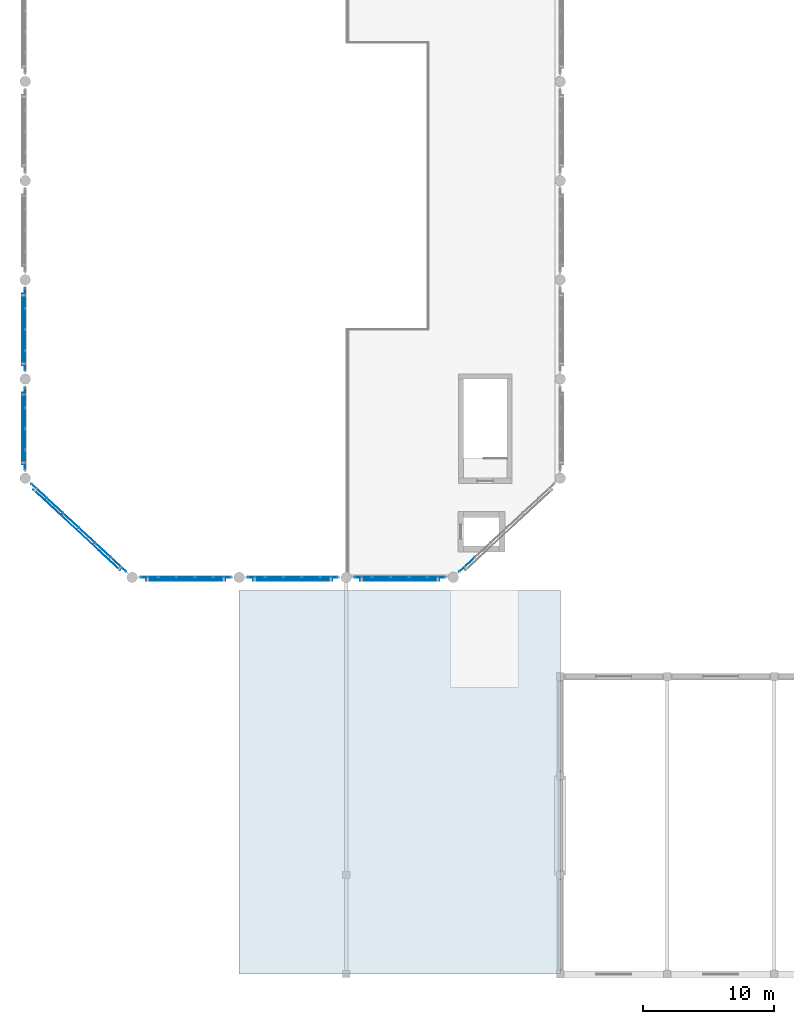
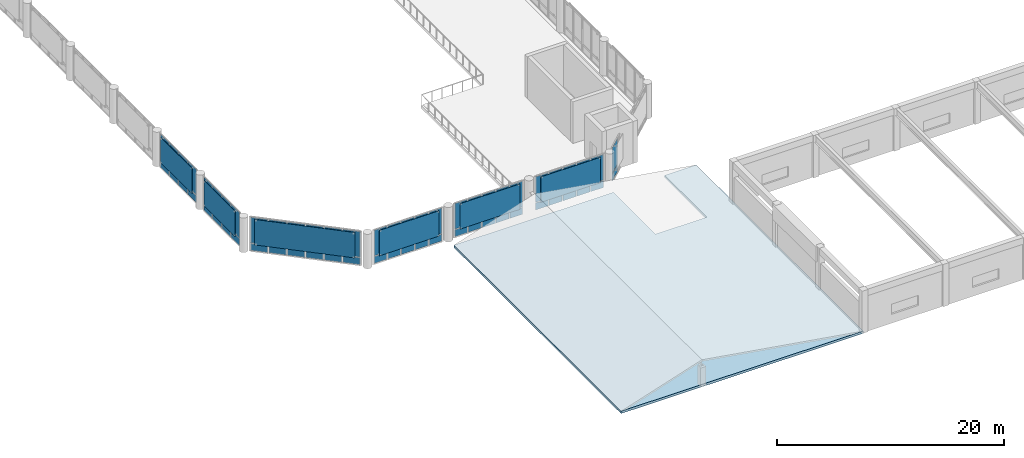
# One storey, part 27 of 49: 66 plates, 1 slab, 7 elements without a shape of their own.
"""IFC4 building model written with IfcOpenShell, lengths in metres."""

from ifc_helpers import new_model, si_unit, direction, frame, origin, origin_2d, place, context, subcontext, project, spatial, polyline, rectangle, outline, extrude, material, layer, layer_set, type_object, element, aggregate, save


model = new_model("IFC4")

# Units and contexts
model_context = context("Model", 3, precision=1e-05, world=origin(), true_north=direction((0.0, 1.0)))
body_context = subcontext(model_context, "Body", "Model", "MODEL_VIEW")
ifc_project = project(units=[si_unit("LENGTHUNIT", "METRE"), si_unit("AREAUNIT", "SQUARE_METRE"), si_unit("VOLUMEUNIT", "CUBIC_METRE"), si_unit("PLANEANGLEUNIT", "RADIAN"), si_unit("MASSUNIT", "GRAM", prefix="KILO")], contexts=[model_context])

# Site, building, storey
site_placement = place(None, origin())
site = spatial("IfcSite", under=ifc_project, at=site_placement, CompositionType="ELEMENT")
building_placement = place(site_placement, origin())
building = spatial("IfcBuilding", under=site, at=building_placement, Name="Qandaris Square Conservatory and Botanical Centre", CompositionType="ELEMENT")
storey_placement = place(building_placement, frame((0.0, 0.0, 10.199951171875)))
storey = spatial("IfcBuildingStorey", under=building, at=storey_placement, Name="L02", CompositionType="ELEMENT", Elevation=10.199951171875)

# Curtain wall, plates
ifc_material_1 = material(Name="Anodised Aluminium", Category="aluminium")
curtain_wall_type_1 = type_object("IfcCurtainWallType", Name="Unitised Curtain Wall CW-2-704x370", PredefinedType="USERDEFINED", material=ifc_material_1)
curtain_wall_1_placement = place(storey_placement, origin())
curtain_wall_1 = element("IfcCurtainWall", 1, at=curtain_wall_1_placement, inside=storey, type_object=curtain_wall_type_1, Name="Curtain Wall CW-CON-L02-1-1", ObjectType="GLAZED CURTAIN WALL", PredefinedType="USERDEFINED")
ifc_material_2 = material(Name="Tempered Low-E Glass", Category="glass")
ifc_layer_1 = layer(ifc_material_2, 0.0400390625)
ifc_layer_set_1 = layer_set([ifc_layer_1], Name="Tempered Low-E Glass")
plate_type_1 = type_object("IfcPlateType", Name="Conservatory Laminated Low-Iron Biome Glass 40mm", PredefinedType="CURTAIN_PANEL", material=ifc_layer_set_1)
plate_1_placement = place(storey_placement, frame((25.70263671875, 47.0, 0.0751953125), z_axis=(0.0, 0.0, 1.0), x_axis=(1.0, 0.0, 0.0)))
plate_1 = element("IfcPlate", 2, at=plate_1_placement, type_object=plate_type_1, Name="CW-2-704x370 panel 1.1", PredefinedType="CURTAIN_PANEL", context=body_context, shape_type="SweptSolid", body=[
    extrude(rectangle(XDim=1.29541015625, YDim=0.0400390625, at=origin_2d()), origin(), (0.0, 0.0, 1.0), 0.737548828125),
])
plate_2_placement = place(storey_placement, frame((25.70263671875, 47.0, 0.8876953125), z_axis=(0.0, 0.0, 1.0), x_axis=(1.0, 0.0, 0.0)))
plate_2 = element("IfcPlate", 3, at=plate_2_placement, type_object=plate_type_1, Name="CW-2-704x370 panel 1.2", PredefinedType="CURTAIN_PANEL", context=body_context, shape_type="SweptSolid", body=[
    extrude(rectangle(XDim=1.29541015625, YDim=0.0400390625, at=origin_2d()), origin(), (0.0, 0.0, 1.0), 2.737548828125),
])
plate_3_placement = place(storey_placement, frame((27.092041015625, 47.0, 0.0751953125), z_axis=(0.0, 0.0, 1.0), x_axis=(1.0, 0.0, 0.0)))
plate_3 = element("IfcPlate", 4, at=plate_3_placement, type_object=plate_type_1, Name="CW-2-704x370 panel 2.1", PredefinedType="CURTAIN_PANEL", context=body_context, shape_type="SweptSolid", body=[
    extrude(rectangle(XDim=1.3330078125, YDim=0.0400390625, at=origin_2d()), origin(), (0.0, 0.0, 1.0), 0.737548828125),
])
plate_4_placement = place(storey_placement, frame((27.092041015625, 47.0, 0.8876953125), z_axis=(0.0, 0.0, 1.0), x_axis=(1.0, 0.0, 0.0)))
plate_4 = element("IfcPlate", 5, at=plate_4_placement, type_object=plate_type_1, Name="CW-2-704x370 panel 2.2", PredefinedType="CURTAIN_PANEL", context=body_context, shape_type="SweptSolid", body=[
    extrude(rectangle(XDim=1.3330078125, YDim=0.0400390625, at=origin_2d()), origin(), (0.0, 0.0, 1.0), 2.737548828125),
])
plate_5_placement = place(storey_placement, frame((28.5, 47.0, 0.0751953125), z_axis=(0.0, 0.0, 1.0), x_axis=(1.0, 0.0, 0.0)))
plate_5 = element("IfcPlate", 6, at=plate_5_placement, type_object=plate_type_1, Name="CW-2-704x370 panel 3.1", PredefinedType="CURTAIN_PANEL", context=body_context, shape_type="SweptSolid", body=[
    extrude(rectangle(XDim=1.3330078125, YDim=0.0400390625, at=origin_2d()), origin(), (0.0, 0.0, 1.0), 0.737548828125),
])
plate_6_placement = place(storey_placement, frame((28.5, 47.0, 0.8876953125), z_axis=(0.0, 0.0, 1.0), x_axis=(1.0, 0.0, 0.0)))
plate_6 = element("IfcPlate", 7, at=plate_6_placement, type_object=plate_type_1, Name="CW-2-704x370 panel 3.2", PredefinedType="CURTAIN_PANEL", context=body_context, shape_type="SweptSolid", body=[
    extrude(rectangle(XDim=1.3330078125, YDim=0.0400390625, at=origin_2d()), origin(), (0.0, 0.0, 1.0), 2.737548828125),
])
plate_7_placement = place(storey_placement, frame((29.907958984375, 47.0, 0.0751953125), z_axis=(0.0, 0.0, 1.0), x_axis=(1.0, 0.0, 0.0)))
plate_7 = element("IfcPlate", 8, at=plate_7_placement, type_object=plate_type_1, Name="CW-2-704x370 panel 4.1", PredefinedType="CURTAIN_PANEL", context=body_context, shape_type="SweptSolid", body=[
    extrude(rectangle(XDim=1.3330078125, YDim=0.0400390625, at=origin_2d()), origin(), (0.0, 0.0, 1.0), 0.737548828125),
])
plate_8_placement = place(storey_placement, frame((29.907958984375, 47.0, 0.8876953125), z_axis=(0.0, 0.0, 1.0), x_axis=(1.0, 0.0, 0.0)))
plate_8 = element("IfcPlate", 9, at=plate_8_placement, type_object=plate_type_1, Name="CW-2-704x370 panel 4.2", PredefinedType="CURTAIN_PANEL", context=body_context, shape_type="SweptSolid", body=[
    extrude(rectangle(XDim=1.3330078125, YDim=0.0400390625, at=origin_2d()), origin(), (0.0, 0.0, 1.0), 2.737548828125),
])
plate_9_placement = place(storey_placement, frame((31.29736328125, 47.0, 0.0751953125), z_axis=(0.0, 0.0, 1.0), x_axis=(1.0, 0.0, 0.0)))
plate_9 = element("IfcPlate", 10, at=plate_9_placement, type_object=plate_type_1, Name="CW-2-704x370 panel 5.1", PredefinedType="CURTAIN_PANEL", context=body_context, shape_type="SweptSolid", body=[
    extrude(rectangle(XDim=1.29541015625, YDim=0.0400390625, at=origin_2d()), origin(), (0.0, 0.0, 1.0), 0.737548828125),
])
plate_10_placement = place(storey_placement, frame((31.29736328125, 47.0, 0.8876953125), z_axis=(0.0, 0.0, 1.0), x_axis=(1.0, 0.0, 0.0)))
plate_10 = element("IfcPlate", 11, at=plate_10_placement, type_object=plate_type_1, Name="CW-2-704x370 panel 5.2", PredefinedType="CURTAIN_PANEL", context=body_context, shape_type="SweptSolid", body=[
    extrude(rectangle(XDim=1.29541015625, YDim=0.0400390625, at=origin_2d()), origin(), (0.0, 0.0, 1.0), 2.737548828125),
])
aggregate(curtain_wall_1, [plate_1, plate_2, plate_3, plate_4, plate_5, plate_6, plate_7, plate_8, plate_9, plate_10])

curtain_wall_2_placement = place(storey_placement, origin())
curtain_wall_2 = element("IfcCurtainWall", 12, at=curtain_wall_2_placement, inside=storey, type_object=curtain_wall_type_1, Name="Curtain Wall CW-CON-L02-1-2", ObjectType="GLAZED CURTAIN WALL", PredefinedType="USERDEFINED")
plate_11_placement = place(storey_placement, frame((33.90283203125, 47.0, 0.0751953125), z_axis=(0.0, 0.0, 1.0), x_axis=(1.0, 0.0, 0.0)))
plate_11 = element("IfcPlate", 13, at=plate_11_placement, type_object=plate_type_1, Name="CW-2-704x370 panel 1.1", PredefinedType="CURTAIN_PANEL", context=body_context, shape_type="SweptSolid", body=[
    extrude(rectangle(XDim=1.29541015625, YDim=0.0400390625, at=origin_2d()), origin(), (0.0, 0.0, 1.0), 0.737548828125),
])
plate_12_placement = place(storey_placement, frame((33.90283203125, 47.0, 0.8876953125), z_axis=(0.0, 0.0, 1.0), x_axis=(1.0, 0.0, 0.0)))
plate_12 = element("IfcPlate", 14, at=plate_12_placement, type_object=plate_type_1, Name="CW-2-704x370 panel 1.2", PredefinedType="CURTAIN_PANEL", context=body_context, shape_type="SweptSolid", body=[
    extrude(rectangle(XDim=1.29541015625, YDim=0.0400390625, at=origin_2d()), origin(), (0.0, 0.0, 1.0), 2.737548828125),
])
plate_13_placement = place(storey_placement, frame((35.2919921875, 47.0, 0.0751953125), z_axis=(0.0, 0.0, 1.0), x_axis=(1.0, 0.0, 0.0)))
plate_13 = element("IfcPlate", 15, at=plate_13_placement, type_object=plate_type_1, Name="CW-2-704x370 panel 2.1", PredefinedType="CURTAIN_PANEL", context=body_context, shape_type="SweptSolid", body=[
    extrude(rectangle(XDim=1.3330078125, YDim=0.0400390625, at=origin_2d()), origin(), (0.0, 0.0, 1.0), 0.737548828125),
])
plate_14_placement = place(storey_placement, frame((35.2919921875, 47.0, 0.8876953125), z_axis=(0.0, 0.0, 1.0), x_axis=(1.0, 0.0, 0.0)))
plate_14 = element("IfcPlate", 16, at=plate_14_placement, type_object=plate_type_1, Name="CW-2-704x370 panel 2.2", PredefinedType="CURTAIN_PANEL", context=body_context, shape_type="SweptSolid", body=[
    extrude(rectangle(XDim=1.3330078125, YDim=0.0400390625, at=origin_2d()), origin(), (0.0, 0.0, 1.0), 2.737548828125),
])
plate_15_placement = place(storey_placement, frame((36.699951171875, 47.0, 0.0751953125), z_axis=(0.0, 0.0, 1.0), x_axis=(1.0, 0.0, 0.0)))
plate_15 = element("IfcPlate", 17, at=plate_15_placement, type_object=plate_type_1, Name="CW-2-704x370 panel 3.1", PredefinedType="CURTAIN_PANEL", context=body_context, shape_type="SweptSolid", body=[
    extrude(rectangle(XDim=1.3330078125, YDim=0.0400390625, at=origin_2d()), origin(), (0.0, 0.0, 1.0), 0.737548828125),
])
plate_16_placement = place(storey_placement, frame((36.699951171875, 47.0, 0.8876953125), z_axis=(0.0, 0.0, 1.0), x_axis=(1.0, 0.0, 0.0)))
plate_16 = element("IfcPlate", 18, at=plate_16_placement, type_object=plate_type_1, Name="CW-2-704x370 panel 3.2", PredefinedType="CURTAIN_PANEL", context=body_context, shape_type="SweptSolid", body=[
    extrude(rectangle(XDim=1.3330078125, YDim=0.0400390625, at=origin_2d()), origin(), (0.0, 0.0, 1.0), 2.737548828125),
])
plate_17_placement = place(storey_placement, frame((38.10791015625, 47.0, 0.0751953125), z_axis=(0.0, 0.0, 1.0), x_axis=(1.0, 0.0, 0.0)))
plate_17 = element("IfcPlate", 19, at=plate_17_placement, type_object=plate_type_1, Name="CW-2-704x370 panel 4.1", PredefinedType="CURTAIN_PANEL", context=body_context, shape_type="SweptSolid", body=[
    extrude(rectangle(XDim=1.3330078125, YDim=0.0400390625, at=origin_2d()), origin(), (0.0, 0.0, 1.0), 0.737548828125),
])
plate_18_placement = place(storey_placement, frame((38.10791015625, 47.0, 0.8876953125), z_axis=(0.0, 0.0, 1.0), x_axis=(1.0, 0.0, 0.0)))
plate_18 = element("IfcPlate", 20, at=plate_18_placement, type_object=plate_type_1, Name="CW-2-704x370 panel 4.2", PredefinedType="CURTAIN_PANEL", context=body_context, shape_type="SweptSolid", body=[
    extrude(rectangle(XDim=1.3330078125, YDim=0.0400390625, at=origin_2d()), origin(), (0.0, 0.0, 1.0), 2.737548828125),
])
plate_19_placement = place(storey_placement, frame((39.497314453125, 47.0, 0.0751953125), z_axis=(0.0, 0.0, 1.0), x_axis=(1.0, 0.0, 0.0)))
plate_19 = element("IfcPlate", 21, at=plate_19_placement, type_object=plate_type_1, Name="CW-2-704x370 panel 5.1", PredefinedType="CURTAIN_PANEL", context=body_context, shape_type="SweptSolid", body=[
    extrude(rectangle(XDim=1.29541015625, YDim=0.0400390625, at=origin_2d()), origin(), (0.0, 0.0, 1.0), 0.737548828125),
])
plate_20_placement = place(storey_placement, frame((39.497314453125, 47.0, 0.8876953125), z_axis=(0.0, 0.0, 1.0), x_axis=(1.0, 0.0, 0.0)))
plate_20 = element("IfcPlate", 22, at=plate_20_placement, type_object=plate_type_1, Name="CW-2-704x370 panel 5.2", PredefinedType="CURTAIN_PANEL", context=body_context, shape_type="SweptSolid", body=[
    extrude(rectangle(XDim=1.29541015625, YDim=0.0400390625, at=origin_2d()), origin(), (0.0, 0.0, 1.0), 2.737548828125),
])
aggregate(curtain_wall_2, [plate_11, plate_12, plate_13, plate_14, plate_15, plate_16, plate_17, plate_18, plate_19, plate_20])

curtain_wall_3_placement = place(storey_placement, origin())
curtain_wall_3 = element("IfcCurtainWall", 23, at=curtain_wall_3_placement, inside=storey, type_object=curtain_wall_type_1, Name="Curtain Wall CW-CON-L02-1-3", ObjectType="GLAZED CURTAIN WALL", PredefinedType="USERDEFINED")
plate_21_placement = place(storey_placement, frame((42.102783203125, 47.0, 0.0751953125), z_axis=(0.0, 0.0, 1.0), x_axis=(1.0, 0.0, 0.0)))
plate_21 = element("IfcPlate", 24, at=plate_21_placement, type_object=plate_type_1, Name="CW-2-704x370 panel 1.1", PredefinedType="CURTAIN_PANEL", context=body_context, shape_type="SweptSolid", body=[
    extrude(rectangle(XDim=1.29541015625, YDim=0.0400390625, at=origin_2d()), origin(), (0.0, 0.0, 1.0), 0.737548828125),
])
plate_22_placement = place(storey_placement, frame((42.102783203125, 47.0, 0.8876953125), z_axis=(0.0, 0.0, 1.0), x_axis=(1.0, 0.0, 0.0)))
plate_22 = element("IfcPlate", 25, at=plate_22_placement, type_object=plate_type_1, Name="CW-2-704x370 panel 1.2", PredefinedType="CURTAIN_PANEL", context=body_context, shape_type="SweptSolid", body=[
    extrude(rectangle(XDim=1.29541015625, YDim=0.0400390625, at=origin_2d()), origin(), (0.0, 0.0, 1.0), 2.737548828125),
])
plate_23_placement = place(storey_placement, frame((43.491943359375, 47.0, 0.0751953125), z_axis=(0.0, 0.0, 1.0), x_axis=(1.0, 0.0, 0.0)))
plate_23 = element("IfcPlate", 26, at=plate_23_placement, type_object=plate_type_1, Name="CW-2-704x370 panel 2.1", PredefinedType="CURTAIN_PANEL", context=body_context, shape_type="SweptSolid", body=[
    extrude(rectangle(XDim=1.3330078125, YDim=0.0400390625, at=origin_2d()), origin(), (0.0, 0.0, 1.0), 0.737548828125),
])
plate_24_placement = place(storey_placement, frame((43.491943359375, 47.0, 0.8876953125), z_axis=(0.0, 0.0, 1.0), x_axis=(1.0, 0.0, 0.0)))
plate_24 = element("IfcPlate", 27, at=plate_24_placement, type_object=plate_type_1, Name="CW-2-704x370 panel 2.2", PredefinedType="CURTAIN_PANEL", context=body_context, shape_type="SweptSolid", body=[
    extrude(rectangle(XDim=1.3330078125, YDim=0.0400390625, at=origin_2d()), origin(), (0.0, 0.0, 1.0), 2.737548828125),
])
plate_25_placement = place(storey_placement, frame((44.89990234375, 47.0, 0.0751953125), z_axis=(0.0, 0.0, 1.0), x_axis=(1.0, 0.0, 0.0)))
plate_25 = element("IfcPlate", 28, at=plate_25_placement, type_object=plate_type_1, Name="CW-2-704x370 panel 3.1", PredefinedType="CURTAIN_PANEL", context=body_context, shape_type="SweptSolid", body=[
    extrude(rectangle(XDim=1.3330078125, YDim=0.0400390625, at=origin_2d()), origin(), (0.0, 0.0, 1.0), 0.737548828125),
])
plate_26_placement = place(storey_placement, frame((44.89990234375, 47.0, 0.8876953125), z_axis=(0.0, 0.0, 1.0), x_axis=(1.0, 0.0, 0.0)))
plate_26 = element("IfcPlate", 29, at=plate_26_placement, type_object=plate_type_1, Name="CW-2-704x370 panel 3.2", PredefinedType="CURTAIN_PANEL", context=body_context, shape_type="SweptSolid", body=[
    extrude(rectangle(XDim=1.3330078125, YDim=0.0400390625, at=origin_2d()), origin(), (0.0, 0.0, 1.0), 2.737548828125),
])
plate_27_placement = place(storey_placement, frame((46.30810546875, 47.0, 0.0751953125), z_axis=(0.0, 0.0, 1.0), x_axis=(1.0, 0.0, 0.0)))
plate_27 = element("IfcPlate", 30, at=plate_27_placement, type_object=plate_type_1, Name="CW-2-704x370 panel 4.1", PredefinedType="CURTAIN_PANEL", context=body_context, shape_type="SweptSolid", body=[
    extrude(rectangle(XDim=1.3330078125, YDim=0.0400390625, at=origin_2d()), origin(), (0.0, 0.0, 1.0), 0.737548828125),
])
plate_28_placement = place(storey_placement, frame((46.30810546875, 47.0, 0.8876953125), z_axis=(0.0, 0.0, 1.0), x_axis=(1.0, 0.0, 0.0)))
plate_28 = element("IfcPlate", 31, at=plate_28_placement, type_object=plate_type_1, Name="CW-2-704x370 panel 4.2", PredefinedType="CURTAIN_PANEL", context=body_context, shape_type="SweptSolid", body=[
    extrude(rectangle(XDim=1.3330078125, YDim=0.0400390625, at=origin_2d()), origin(), (0.0, 0.0, 1.0), 2.737548828125),
])
plate_29_placement = place(storey_placement, frame((47.697265625, 47.0, 0.0751953125), z_axis=(0.0, 0.0, 1.0), x_axis=(1.0, 0.0, 0.0)))
plate_29 = element("IfcPlate", 32, at=plate_29_placement, type_object=plate_type_1, Name="CW-2-704x370 panel 5.1", PredefinedType="CURTAIN_PANEL", context=body_context, shape_type="SweptSolid", body=[
    extrude(rectangle(XDim=1.29541015625, YDim=0.0400390625, at=origin_2d()), origin(), (0.0, 0.0, 1.0), 0.737548828125),
])
plate_30_placement = place(storey_placement, frame((47.697265625, 47.0, 0.8876953125), z_axis=(0.0, 0.0, 1.0), x_axis=(1.0, 0.0, 0.0)))
plate_30 = element("IfcPlate", 33, at=plate_30_placement, type_object=plate_type_1, Name="CW-2-704x370 panel 5.2", PredefinedType="CURTAIN_PANEL", context=body_context, shape_type="SweptSolid", body=[
    extrude(rectangle(XDim=1.29541015625, YDim=0.0400390625, at=origin_2d()), origin(), (0.0, 0.0, 1.0), 2.737548828125),
])
aggregate(curtain_wall_3, [plate_21, plate_22, plate_23, plate_24, plate_25, plate_26, plate_27, plate_28, plate_29, plate_30])

curtain_wall_type_2 = type_object("IfcCurtainWallType", Name="Unitised Curtain Wall CW-2-1002x370", PredefinedType="USERDEFINED", material=ifc_material_1)
curtain_wall_4_placement = place(storey_placement, origin())
curtain_wall_4 = element("IfcCurtainWall", 34, at=curtain_wall_4_placement, inside=storey, type_object=curtain_wall_type_2, Name="Curtain Wall CW-CON-L02-2-1", ObjectType="GLAZED CURTAIN WALL", PredefinedType="USERDEFINED")
plate_31_placement = place(storey_placement, frame((50.051513671875, 47.974609375, 0.0751953125), z_axis=(0.0, 0.0, 1.0), x_axis=(0.733432966404, 0.679761784592, 0.0)))
plate_31 = element("IfcPlate", 35, at=plate_31_placement, type_object=plate_type_1, Name="CW-2-1002x370 panel 1.1", PredefinedType="CURTAIN_PANEL", context=body_context, shape_type="SweptSolid", body=[
    extrude(rectangle(XDim=1.5576171875, YDim=0.0400390625, at=origin_2d()), origin(), (0.0, 0.0, 1.0), 0.737548828125),
])
plate_32_placement = place(storey_placement, frame((50.051513671875, 47.974609375, 0.8876953125), z_axis=(0.0, 0.0, 1.0), x_axis=(0.733432966404, 0.679761784592, 0.0)))
plate_32 = element("IfcPlate", 36, at=plate_32_placement, type_object=plate_type_1, Name="CW-2-1002x370 panel 1.2", PredefinedType="CURTAIN_PANEL", context=body_context, shape_type="SweptSolid", body=[
    extrude(rectangle(XDim=1.5576171875, YDim=0.0400390625, at=origin_2d()), origin(), (0.0, 0.0, 1.0), 2.737548828125),
])
aggregate(curtain_wall_4, [plate_31, plate_32])

curtain_wall_type_3 = type_object("IfcCurtainWallType", Name="Unitised Curtain Wall CW-2-644x370", PredefinedType="USERDEFINED", material=ifc_material_1)
curtain_wall_5_placement = place(storey_placement, origin())
curtain_wall_5 = element("IfcCurtainWall", 37, at=curtain_wall_5_placement, inside=storey, type_object=curtain_wall_type_3, Name="Curtain Wall CW-CON-L02-7-6", ObjectType="GLAZED CURTAIN WALL", PredefinedType="USERDEFINED")
plate_33_placement = place(storey_placement, frame((16.199951171875, 68.396240234375, 0.0751953125), z_axis=(0.0, 0.0, 1.0), x_axis=(0.0, -1.0, 0.0)))
plate_33 = element("IfcPlate", 38, at=plate_33_placement, type_object=plate_type_1, Name="CW-2-644x370 panel 1.1", PredefinedType="CURTAIN_PANEL", context=body_context, shape_type="SweptSolid", body=[
    extrude(rectangle(XDim=1.49755859375, YDim=0.0400390625, at=origin_2d()), origin(), (0.0, 0.0, 1.0), 0.737548828125),
])
plate_34_placement = place(storey_placement, frame((16.199951171875, 68.396240234375, 0.8876953125), z_axis=(0.0, 0.0, 1.0), x_axis=(0.0, -1.0, 0.0)))
plate_34 = element("IfcPlate", 39, at=plate_34_placement, type_object=plate_type_1, Name="CW-2-644x370 panel 1.2", PredefinedType="CURTAIN_PANEL", context=body_context, shape_type="SweptSolid", body=[
    extrude(rectangle(XDim=1.49755859375, YDim=0.0400390625, at=origin_2d()), origin(), (0.0, 0.0, 1.0), 2.737548828125),
])
plate_35_placement = place(storey_placement, frame((16.199951171875, 66.804931640625, 0.0751953125), z_axis=(0.0, 0.0, 1.0), x_axis=(0.0, -1.0, 0.0)))
plate_35 = element("IfcPlate", 40, at=plate_35_placement, type_object=plate_type_1, Name="CW-2-644x370 panel 2.1", PredefinedType="CURTAIN_PANEL", context=body_context, shape_type="SweptSolid", body=[
    extrude(rectangle(XDim=1.534912109375, YDim=0.0400390625, at=origin_2d()), origin(), (0.0, 0.0, 1.0), 0.737548828125),
])
plate_36_placement = place(storey_placement, frame((16.199951171875, 66.804931640625, 0.8876953125), z_axis=(0.0, 0.0, 1.0), x_axis=(0.0, -1.0, 0.0)))
plate_36 = element("IfcPlate", 41, at=plate_36_placement, type_object=plate_type_1, Name="CW-2-644x370 panel 2.2", PredefinedType="CURTAIN_PANEL", context=body_context, shape_type="SweptSolid", body=[
    extrude(rectangle(XDim=1.534912109375, YDim=0.0400390625, at=origin_2d()), origin(), (0.0, 0.0, 1.0), 2.737548828125),
])
plate_37_placement = place(storey_placement, frame((16.199951171875, 65.195068359375, 0.0751953125), z_axis=(0.0, 0.0, 1.0), x_axis=(0.0, -1.0, 0.0)))
plate_37 = element("IfcPlate", 42, at=plate_37_placement, type_object=plate_type_1, Name="CW-2-644x370 panel 3.1", PredefinedType="CURTAIN_PANEL", context=body_context, shape_type="SweptSolid", body=[
    extrude(rectangle(XDim=1.534912109375, YDim=0.0400390625, at=origin_2d()), origin(), (0.0, 0.0, 1.0), 0.737548828125),
])
plate_38_placement = place(storey_placement, frame((16.199951171875, 65.195068359375, 0.8876953125), z_axis=(0.0, 0.0, 1.0), x_axis=(0.0, -1.0, 0.0)))
plate_38 = element("IfcPlate", 43, at=plate_38_placement, type_object=plate_type_1, Name="CW-2-644x370 panel 3.2", PredefinedType="CURTAIN_PANEL", context=body_context, shape_type="SweptSolid", body=[
    extrude(rectangle(XDim=1.534912109375, YDim=0.0400390625, at=origin_2d()), origin(), (0.0, 0.0, 1.0), 2.737548828125),
])
plate_39_placement = place(storey_placement, frame((16.199951171875, 63.603759765625, 0.0751953125), z_axis=(0.0, 0.0, 1.0), x_axis=(0.0, -1.0, 0.0)))
plate_39 = element("IfcPlate", 44, at=plate_39_placement, type_object=plate_type_1, Name="CW-2-644x370 panel 4.1", PredefinedType="CURTAIN_PANEL", context=body_context, shape_type="SweptSolid", body=[
    extrude(rectangle(XDim=1.49755859375, YDim=0.0400390625, at=origin_2d()), origin(), (0.0, 0.0, 1.0), 0.737548828125),
])
plate_40_placement = place(storey_placement, frame((16.199951171875, 63.603759765625, 0.8876953125), z_axis=(0.0, 0.0, 1.0), x_axis=(0.0, -1.0, 0.0)))
plate_40 = element("IfcPlate", 45, at=plate_40_placement, type_object=plate_type_1, Name="CW-2-644x370 panel 4.2", PredefinedType="CURTAIN_PANEL", context=body_context, shape_type="SweptSolid", body=[
    extrude(rectangle(XDim=1.49755859375, YDim=0.0400390625, at=origin_2d()), origin(), (0.0, 0.0, 1.0), 2.737548828125),
])
aggregate(curtain_wall_5, [plate_33, plate_34, plate_35, plate_36, plate_37, plate_38, plate_39, plate_40])

curtain_wall_6_placement = place(storey_placement, origin())
curtain_wall_6 = element("IfcCurtainWall", 46, at=curtain_wall_6_placement, inside=storey, type_object=curtain_wall_type_3, Name="Curtain Wall CW-CON-L02-7-7", ObjectType="GLAZED CURTAIN WALL", PredefinedType="USERDEFINED")
plate_41_placement = place(storey_placement, frame((16.199951171875, 60.796142578125, 0.0751953125), z_axis=(0.0, 0.0, 1.0), x_axis=(0.0, -1.0, 0.0)))
plate_41 = element("IfcPlate", 47, at=plate_41_placement, type_object=plate_type_1, Name="CW-2-644x370 panel 1.1", PredefinedType="CURTAIN_PANEL", context=body_context, shape_type="SweptSolid", body=[
    extrude(rectangle(XDim=1.49755859375, YDim=0.0400390625, at=origin_2d()), origin(), (0.0, 0.0, 1.0), 0.737548828125),
])
plate_42_placement = place(storey_placement, frame((16.199951171875, 60.796142578125, 0.8876953125), z_axis=(0.0, 0.0, 1.0), x_axis=(0.0, -1.0, 0.0)))
plate_42 = element("IfcPlate", 48, at=plate_42_placement, type_object=plate_type_1, Name="CW-2-644x370 panel 1.2", PredefinedType="CURTAIN_PANEL", context=body_context, shape_type="SweptSolid", body=[
    extrude(rectangle(XDim=1.49755859375, YDim=0.0400390625, at=origin_2d()), origin(), (0.0, 0.0, 1.0), 2.737548828125),
])
plate_43_placement = place(storey_placement, frame((16.199951171875, 59.205078125, 0.0751953125), z_axis=(0.0, 0.0, 1.0), x_axis=(0.0, -1.0, 0.0)))
plate_43 = element("IfcPlate", 49, at=plate_43_placement, type_object=plate_type_1, Name="CW-2-644x370 panel 2.1", PredefinedType="CURTAIN_PANEL", context=body_context, shape_type="SweptSolid", body=[
    extrude(rectangle(XDim=1.534912109375, YDim=0.0400390625, at=origin_2d()), origin(), (0.0, 0.0, 1.0), 0.737548828125),
])
plate_44_placement = place(storey_placement, frame((16.199951171875, 59.205078125, 0.8876953125), z_axis=(0.0, 0.0, 1.0), x_axis=(0.0, -1.0, 0.0)))
plate_44 = element("IfcPlate", 50, at=plate_44_placement, type_object=plate_type_1, Name="CW-2-644x370 panel 2.2", PredefinedType="CURTAIN_PANEL", context=body_context, shape_type="SweptSolid", body=[
    extrude(rectangle(XDim=1.534912109375, YDim=0.0400390625, at=origin_2d()), origin(), (0.0, 0.0, 1.0), 2.737548828125),
])
plate_45_placement = place(storey_placement, frame((16.199951171875, 57.594970703125, 0.0751953125), z_axis=(0.0, 0.0, 1.0), x_axis=(0.0, -1.0, 0.0)))
plate_45 = element("IfcPlate", 51, at=plate_45_placement, type_object=plate_type_1, Name="CW-2-644x370 panel 3.1", PredefinedType="CURTAIN_PANEL", context=body_context, shape_type="SweptSolid", body=[
    extrude(rectangle(XDim=1.534912109375, YDim=0.0400390625, at=origin_2d()), origin(), (0.0, 0.0, 1.0), 0.737548828125),
])
plate_46_placement = place(storey_placement, frame((16.199951171875, 57.594970703125, 0.8876953125), z_axis=(0.0, 0.0, 1.0), x_axis=(0.0, -1.0, 0.0)))
plate_46 = element("IfcPlate", 52, at=plate_46_placement, type_object=plate_type_1, Name="CW-2-644x370 panel 3.2", PredefinedType="CURTAIN_PANEL", context=body_context, shape_type="SweptSolid", body=[
    extrude(rectangle(XDim=1.534912109375, YDim=0.0400390625, at=origin_2d()), origin(), (0.0, 0.0, 1.0), 2.737548828125),
])
plate_47_placement = place(storey_placement, frame((16.199951171875, 56.003662109375, 0.0751953125), z_axis=(0.0, 0.0, 1.0), x_axis=(0.0, -1.0, 0.0)))
plate_47 = element("IfcPlate", 53, at=plate_47_placement, type_object=plate_type_1, Name="CW-2-644x370 panel 4.1", PredefinedType="CURTAIN_PANEL", context=body_context, shape_type="SweptSolid", body=[
    extrude(rectangle(XDim=1.49755859375, YDim=0.0400390625, at=origin_2d()), origin(), (0.0, 0.0, 1.0), 0.737548828125),
])
plate_48_placement = place(storey_placement, frame((16.199951171875, 56.003662109375, 0.8876953125), z_axis=(0.0, 0.0, 1.0), x_axis=(0.0, -1.0, 0.0)))
plate_48 = element("IfcPlate", 54, at=plate_48_placement, type_object=plate_type_1, Name="CW-2-644x370 panel 4.2", PredefinedType="CURTAIN_PANEL", context=body_context, shape_type="SweptSolid", body=[
    extrude(rectangle(XDim=1.49755859375, YDim=0.0400390625, at=origin_2d()), origin(), (0.0, 0.0, 1.0), 2.737548828125),
])
aggregate(curtain_wall_6, [plate_41, plate_42, plate_43, plate_44, plate_45, plate_46, plate_47, plate_48])

curtain_wall_7_placement = place(storey_placement, origin())
curtain_wall_7 = element("IfcCurtainWall", 55, at=curtain_wall_7_placement, inside=storey, type_object=curtain_wall_type_2, Name="Curtain Wall CW-CON-L02-8-1", ObjectType="GLAZED CURTAIN WALL", PredefinedType="USERDEFINED")
plate_49_placement = place(storey_placement, frame((17.25146484375, 53.625244140625, 0.0751953125), z_axis=(0.0, 0.0, 1.0), x_axis=(0.733432966404, -0.679761784592, 0.0)))
plate_49 = element("IfcPlate", 56, at=plate_49_placement, type_object=plate_type_1, Name="CW-2-1002x370 panel 1.1", PredefinedType="CURTAIN_PANEL", context=body_context, shape_type="SweptSolid", body=[
    extrude(rectangle(XDim=1.5576171875, YDim=0.0400390625, at=origin_2d()), origin(), (0.0, 0.0, 1.0), 0.737548828125),
])
plate_50_placement = place(storey_placement, frame((17.25146484375, 53.625244140625, 0.8876953125), z_axis=(0.0, 0.0, 1.0), x_axis=(0.733432966404, -0.679761784592, 0.0)))
plate_50 = element("IfcPlate", 57, at=plate_50_placement, type_object=plate_type_1, Name="CW-2-1002x370 panel 1.2", PredefinedType="CURTAIN_PANEL", context=body_context, shape_type="SweptSolid", body=[
    extrude(rectangle(XDim=1.5576171875, YDim=0.0400390625, at=origin_2d()), origin(), (0.0, 0.0, 1.0), 2.737548828125),
])
plate_51_placement = place(storey_placement, frame((18.462646484375, 52.5029296875, 0.0751953125), z_axis=(0.0, 0.0, 1.0), x_axis=(0.733432966404, -0.679761784592, 0.0)))
plate_51 = element("IfcPlate", 58, at=plate_51_placement, type_object=plate_type_1, Name="CW-2-1002x370 panel 2.1", PredefinedType="CURTAIN_PANEL", context=body_context, shape_type="SweptSolid", body=[
    extrude(rectangle(XDim=1.594970703125, YDim=0.0400390625, at=origin_2d()), origin(), (0.0, 0.0, 1.0), 0.737548828125),
])
plate_52_placement = place(storey_placement, frame((18.462646484375, 52.5029296875, 0.8876953125), z_axis=(0.0, 0.0, 1.0), x_axis=(0.733432966404, -0.679761784592, 0.0)))
plate_52 = element("IfcPlate", 59, at=plate_52_placement, type_object=plate_type_1, Name="CW-2-1002x370 panel 2.2", PredefinedType="CURTAIN_PANEL", context=body_context, shape_type="SweptSolid", body=[
    extrude(rectangle(XDim=1.594970703125, YDim=0.0400390625, at=origin_2d()), origin(), (0.0, 0.0, 1.0), 2.737548828125),
])
plate_53_placement = place(storey_placement, frame((19.6875, 51.36767578125, 0.0751953125), z_axis=(0.0, 0.0, 1.0), x_axis=(0.733432966404, -0.679761784592, 0.0)))
plate_53 = element("IfcPlate", 60, at=plate_53_placement, type_object=plate_type_1, Name="CW-2-1002x370 panel 3.1", PredefinedType="CURTAIN_PANEL", context=body_context, shape_type="SweptSolid", body=[
    extrude(rectangle(XDim=1.594970703125, YDim=0.0400390625, at=origin_2d()), origin(), (0.0, 0.0, 1.0), 0.737548828125),
])
plate_54_placement = place(storey_placement, frame((19.6875, 51.36767578125, 0.8876953125), z_axis=(0.0, 0.0, 1.0), x_axis=(0.733432966404, -0.679761784592, 0.0)))
plate_54 = element("IfcPlate", 61, at=plate_54_placement, type_object=plate_type_1, Name="CW-2-1002x370 panel 3.2", PredefinedType="CURTAIN_PANEL", context=body_context, shape_type="SweptSolid", body=[
    extrude(rectangle(XDim=1.594970703125, YDim=0.0400390625, at=origin_2d()), origin(), (0.0, 0.0, 1.0), 2.737548828125),
])
plate_55_placement = place(storey_placement, frame((20.912353515625, 50.232421875, 0.0751953125), z_axis=(0.0, 0.0, 1.0), x_axis=(0.733432966404, -0.679761784592, 0.0)))
plate_55 = element("IfcPlate", 62, at=plate_55_placement, type_object=plate_type_1, Name="CW-2-1002x370 panel 4.1", PredefinedType="CURTAIN_PANEL", context=body_context, shape_type="SweptSolid", body=[
    extrude(rectangle(XDim=1.594970703125, YDim=0.0400390625, at=origin_2d()), origin(), (0.0, 0.0, 1.0), 0.737548828125),
])
plate_56_placement = place(storey_placement, frame((20.912353515625, 50.232421875, 0.8876953125), z_axis=(0.0, 0.0, 1.0), x_axis=(0.733432966404, -0.679761784592, 0.0)))
plate_56 = element("IfcPlate", 63, at=plate_56_placement, type_object=plate_type_1, Name="CW-2-1002x370 panel 4.2", PredefinedType="CURTAIN_PANEL", context=body_context, shape_type="SweptSolid", body=[
    extrude(rectangle(XDim=1.594970703125, YDim=0.0400390625, at=origin_2d()), origin(), (0.0, 0.0, 1.0), 2.737548828125),
])
plate_57_placement = place(storey_placement, frame((22.13720703125, 49.09716796875, 0.0751953125), z_axis=(0.0, 0.0, 1.0), x_axis=(0.733432966404, -0.679761784592, 0.0)))
plate_57 = element("IfcPlate", 64, at=plate_57_placement, type_object=plate_type_1, Name="CW-2-1002x370 panel 5.1", PredefinedType="CURTAIN_PANEL", context=body_context, shape_type="SweptSolid", body=[
    extrude(rectangle(XDim=1.594970703125, YDim=0.0400390625, at=origin_2d()), origin(), (0.0, 0.0, 1.0), 0.737548828125),
])
plate_58_placement = place(storey_placement, frame((22.13720703125, 49.09716796875, 0.8876953125), z_axis=(0.0, 0.0, 1.0), x_axis=(0.733432966404, -0.679761784592, 0.0)))
plate_58 = element("IfcPlate", 65, at=plate_58_placement, type_object=plate_type_1, Name="CW-2-1002x370 panel 5.2", PredefinedType="CURTAIN_PANEL", context=body_context, shape_type="SweptSolid", body=[
    extrude(rectangle(XDim=1.594970703125, YDim=0.0400390625, at=origin_2d()), origin(), (0.0, 0.0, 1.0), 2.737548828125),
])
plate_59_placement = place(storey_placement, frame((23.348388671875, 47.974609375, 0.0751953125), z_axis=(0.0, 0.0, 1.0), x_axis=(0.733432966404, -0.679761784592, 0.0)))
plate_59 = element("IfcPlate", 66, at=plate_59_placement, type_object=plate_type_1, Name="CW-2-1002x370 panel 6.1", PredefinedType="CURTAIN_PANEL", context=body_context, shape_type="SweptSolid", body=[
    extrude(rectangle(XDim=1.5576171875, YDim=0.0400390625, at=origin_2d()), origin(), (0.0, 0.0, 1.0), 0.737548828125),
])
plate_60_placement = place(storey_placement, frame((23.348388671875, 47.974609375, 0.8876953125), z_axis=(0.0, 0.0, 1.0), x_axis=(0.733432966404, -0.679761784592, 0.0)))
plate_60 = element("IfcPlate", 67, at=plate_60_placement, type_object=plate_type_1, Name="CW-2-1002x370 panel 6.2", PredefinedType="CURTAIN_PANEL", context=body_context, shape_type="SweptSolid", body=[
    extrude(rectangle(XDim=1.5576171875, YDim=0.0400390625, at=origin_2d()), origin(), (0.0, 0.0, 1.0), 2.737548828125),
])
aggregate(curtain_wall_7, [plate_49, plate_50, plate_51, plate_52, plate_53, plate_54, plate_55, plate_56, plate_57, plate_58, plate_59, plate_60])

# Plates
ifc_material_3 = material(Name="Weathering Bronze Alloy", Category="metal")
ifc_layer_2 = layer(ifc_material_3, 0.044921875)
ifc_layer_set_2 = layer_set([ifc_layer_2], Name="Weathering Bronze Alloy")
plate_type_2 = type_object("IfcPlateType", Name="Perforated Bronze Mashrabiya Solar Screen Panel", PredefinedType="USERDEFINED", material=ifc_layer_set_2)
for number, where, z_axis, x_axis, name in (
    (68, (28.5, 46.780029296875, 0.880126953125), (0.0, 0.0, 1.0), (1.0, 0.0, 0.0), "Mashrabiya Solar Screen CW-CON-L02-1-1"),
    (69, (36.699951171875, 46.780029296875, 0.880126953125), (0.0, 0.0, 1.0), (1.0, 0.0, 0.0), "Mashrabiya Solar Screen CW-CON-L02-1-2"),
    (70, (44.89990234375, 46.780029296875, 0.880126953125), (0.0, 0.0, 1.0), (1.0, 0.0, 0.0), "Mashrabiya Solar Screen CW-CON-L02-1-3"),
):
    element("IfcPlate", number, at=place(storey_placement, frame(where, z_axis=z_axis, x_axis=x_axis)), inside=storey, type_object=plate_type_2, Name=name, ObjectType="SOLAR SCREEN", PredefinedType="USERDEFINED", context=body_context, shape_type="SweptSolid", body=[
        extrude(rectangle(XDim=6.080078125, YDim=0.044921875, at=origin_2d()), origin(), (0.0, 0.0, 1.0), 2.72998046875),
    ])
for number, where, z_axis, x_axis, name in (
    (71, (15.97998046875, 66.0, 0.880126953125), (0.0, 0.0, 1.0), (0.0, -1.0, 0.0), "Mashrabiya Solar Screen CW-CON-L02-7-6"),
    (72, (15.97998046875, 58.39990234375, 0.880126953125), (0.0, 0.0, 1.0), (0.0, -1.0, 0.0), "Mashrabiya Solar Screen CW-CON-L02-7-7"),
):
    element("IfcPlate", number, at=place(storey_placement, frame(where, z_axis=z_axis, x_axis=x_axis)), inside=storey, type_object=plate_type_2, Name=name, ObjectType="SOLAR SCREEN", PredefinedType="USERDEFINED", context=body_context, shape_type="SweptSolid", body=[
        extrude(rectangle(XDim=5.47998046875, YDim=0.044921875, at=origin_2d()), origin(), (0.0, 0.0, 1.0), 2.72998046875),
    ])
plate_61_placement = place(storey_placement, frame((20.150390625, 50.638671875, 0.880126953125), z_axis=(0.0, 0.0, 1.0), x_axis=(0.733432966404, -0.679761784592, 0.0)))
element("IfcPlate", 73, at=plate_61_placement, inside=storey, type_object=plate_type_2, Name="Mashrabiya Solar Screen CW-CON-L02-8-1", ObjectType="SOLAR SCREEN", PredefinedType="USERDEFINED", context=body_context, shape_type="SweptSolid", body=[
    extrude(rectangle(XDim=9.060302734375, YDim=0.044921875, at=origin_2d()), origin(), (0.0, 0.0, 1.0), 2.72998046875),
])

# Slab
ifc_material_4 = material(Name="Concrete C40/50", Category="concrete")
ifc_layer_3 = layer(ifc_material_4, 0.2548828125)
ifc_layer_set_3 = layer_set([ifc_layer_3], Name="Concrete C40/50")
slab_type = type_object("IfcSlabType", Name="RC Flat Roof Slab 255mm", PredefinedType="ROOF", material=ifc_layer_set_3)
slab_placement = place(storey_placement, frame((0.0, 0.0, -0.2548828125)))
element("IfcSlab", 74, at=slab_placement, inside=storey, type_object=slab_type, Name="Visitor South-West Wing Roof Slab L02", PredefinedType="ROOF", context=body_context, shape_type="SweptSolid", body=[
    extrude(outline(polyline([(57.199951171875, 46.0), (57.199951171875, 16.60009765625), (32.60009765625, 16.60009765625), (32.60009765625, 46.0), (48.800048828125, 46.0), (48.800048828125, 38.60009765625), (54.0, 38.60009765625), (54.0, 46.0), (57.199951171875, 46.0)])), origin(), (0.0, 0.0, 1.0), 0.2548828125),
])

save(model, "model.ifc")
